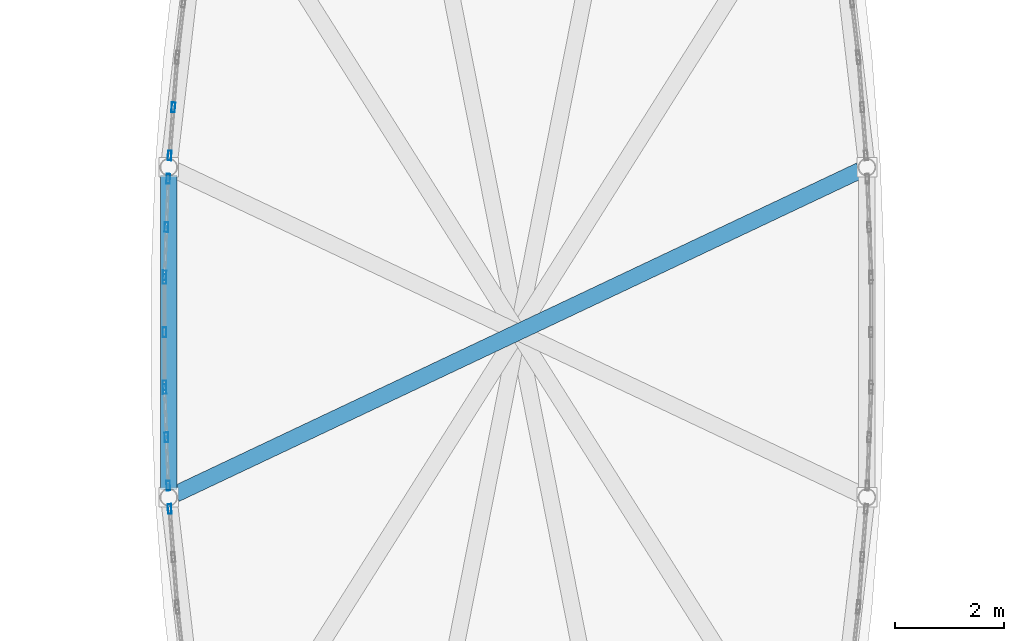
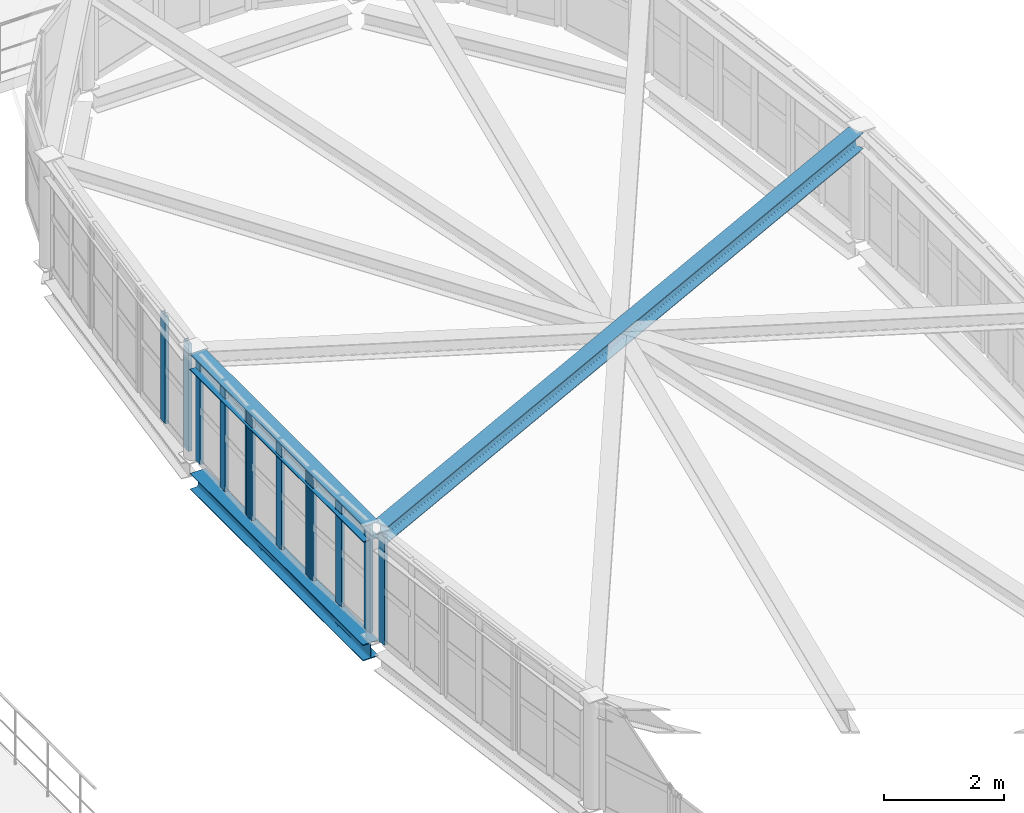
# One storey, part 33 of 78: 12 members, 3 beams, 5 elements without a shape of their own.
"""IFC4 building model written with IfcOpenShell, lengths in metres."""

from ifc_helpers import new_model, si_unit, direction, frame, origin, origin_2d, place, context, subcontext, project, spatial, hollow_rectangle, i_section, extrude, material, layer, layer_set, material_profile, profile_set, type_object, element, aggregate, save


model = new_model("IFC4")

# Units and contexts
model_context = context("Model", 3, precision=1e-05, world=origin(), true_north=direction((0.0, 1.0)))
body_context = subcontext(model_context, "Body", "Model", "MODEL_VIEW")
ifc_project = project(units=[si_unit("LENGTHUNIT", "METRE"), si_unit("AREAUNIT", "SQUARE_METRE"), si_unit("VOLUMEUNIT", "CUBIC_METRE"), si_unit("PLANEANGLEUNIT", "RADIAN"), si_unit("MASSUNIT", "GRAM", prefix="KILO")], contexts=[model_context])

# Site, building, storey
site_placement = place(None, origin())
site = spatial("IfcSite", under=ifc_project, at=site_placement, CompositionType="ELEMENT")
building_placement = place(site_placement, origin())
building = spatial("IfcBuilding", under=site, at=building_placement, Name="Vinh Khe Railworks Police Headquarters", CompositionType="ELEMENT")
storey_placement = place(building_placement, frame((0.0, 0.0, 13.199951171875)))
storey = spatial("IfcBuildingStorey", under=building, at=storey_placement, Name="L03", CompositionType="ELEMENT", Elevation=13.199951171875)

# Curtain wall, members
ifc_material_1 = material(Name="Anodised aluminium and acoustic laminated glass", Category="aluminium")
ifc_layer = layer(ifc_material_1, 0.159912109375)
ifc_layer_set = layer_set([ifc_layer], Name="Anodised aluminium and acoustic laminated glass")
curtain_wall_type = type_object("IfcCurtainWallType", Name="CW-DRUM-CHORD", PredefinedType="USERDEFINED", material=ifc_layer_set)
curtain_wall_1_placement = place(storey_placement, origin())
curtain_wall_1 = element("IfcCurtainWall", 1, at=curtain_wall_1_placement, inside=storey, type_object=curtain_wall_type, Name="Elliptical Command Drum Glazing L03 Chord 21", ObjectType="DRUM FACADE GLAZING", PredefinedType="USERDEFINED")
ifc_material_2 = material(Name="Anodised aluminium 6063-T6", Category="aluminium")
ifc_material_profile_1 = material_profile(ifc_material_2, hollow_rectangle(XDim=0.06494140625, YDim=0.179931640625, WallThickness=0.0048828125, at=origin_2d()), Name="CW-M 65x180x5")
ifc_profile_set_1 = profile_set([ifc_material_profile_1], Name="Anodised aluminium 6063-T6")
member_type = type_object("IfcMemberType", Name="MULL-CWM-02", PredefinedType="MULLION", material=ifc_profile_set_1)
member_1_placement = place(storey_placement, frame((36.87255859375, 46.131103515625, 0.0), z_axis=(0.0, 0.0, 1.0), x_axis=(0.997033481847, -0.076969059213, 0.0)))
member_1 = element("IfcMember", 2, at=member_1_placement, type_object=member_type, Name="CW-02 mullion 2", PredefinedType="MULLION", context=body_context, shape_type="SweptSolid", body=[
    extrude(hollow_rectangle(XDim=0.06494140625, YDim=0.179931640625, WallThickness=0.0048828125, at=origin_2d()), origin(), (0.0, 0.0, 1.0), 2.179931640625),
])
member_2_placement = place(storey_placement, frame((36.80419921875, 45.245849609375, 0.0), z_axis=(0.0, 0.0, 1.0), x_axis=(0.997033481847, -0.076969059213, 0.0)))
member_2 = element("IfcMember", 3, at=member_2_placement, type_object=member_type, Name="CW-02 mullion 3", PredefinedType="MULLION", context=body_context, shape_type="SweptSolid", body=[
    extrude(hollow_rectangle(XDim=0.06494140625, YDim=0.179931640625, WallThickness=0.0048828125, at=origin_2d()), origin(), (0.0, 0.0, 1.0), 2.179931640625),
])
aggregate(curtain_wall_1, [member_1, member_2])

curtain_wall_2_placement = place(storey_placement, origin())
curtain_wall_2 = element("IfcCurtainWall", 4, at=curtain_wall_2_placement, inside=storey, type_object=curtain_wall_type, Name="Elliptical Command Drum Glazing L03 Chord 22", ObjectType="DRUM FACADE GLAZING", PredefinedType="USERDEFINED")
member_3_placement = place(storey_placement, frame((36.779296875, 44.81787109375, 0.0), z_axis=(0.0, 0.0, 1.0), x_axis=(0.999258113622, -0.038512625989, 0.0)))
member_3 = element("IfcMember", 5, at=member_3_placement, type_object=member_type, Name="CW-02 mullion 1", PredefinedType="MULLION", context=body_context, shape_type="SweptSolid", body=[
    extrude(hollow_rectangle(XDim=0.06494140625, YDim=0.179931640625, WallThickness=0.0048828125, at=origin_2d()), origin(), (0.0, 0.0, 1.0), 2.179931640625),
])
member_4_placement = place(storey_placement, frame((36.7451171875, 43.9306640625, 0.0), z_axis=(0.0, 0.0, 1.0), x_axis=(0.999258113622, -0.038512625989, 0.0)))
member_4 = element("IfcMember", 6, at=member_4_placement, type_object=member_type, Name="CW-02 mullion 2", PredefinedType="MULLION", context=body_context, shape_type="SweptSolid", body=[
    extrude(hollow_rectangle(XDim=0.06494140625, YDim=0.179931640625, WallThickness=0.0048828125, at=origin_2d()), origin(), (0.0, 0.0, 1.0), 2.179931640625),
])
member_5_placement = place(storey_placement, frame((36.7109375, 43.043701171875, 0.0), z_axis=(0.0, 0.0, 1.0), x_axis=(0.999258113622, -0.038512625989, 0.0)))
member_5 = element("IfcMember", 7, at=member_5_placement, type_object=member_type, Name="CW-02 mullion 3", PredefinedType="MULLION", context=body_context, shape_type="SweptSolid", body=[
    extrude(hollow_rectangle(XDim=0.06494140625, YDim=0.179931640625, WallThickness=0.0048828125, at=origin_2d()), origin(), (0.0, 0.0, 1.0), 2.179931640625),
])
aggregate(curtain_wall_2, [member_3, member_4, member_5])

curtain_wall_3_placement = place(storey_placement, origin())
curtain_wall_3 = element("IfcCurtainWall", 8, at=curtain_wall_3_placement, inside=storey, type_object=curtain_wall_type, Name="Elliptical Command Drum Glazing L03 Chord 23", ObjectType="DRUM FACADE GLAZING", PredefinedType="USERDEFINED")
member_6_placement = place(storey_placement, frame((36.709716796875, 42.978759765625, 0.0), z_axis=(0.0, 0.0, 1.0), x_axis=(1.0, 0.0, 0.0)))
member_6 = element("IfcMember", 9, at=member_6_placement, type_object=member_type, Name="CW-02 mullion 1", PredefinedType="MULLION", context=body_context, shape_type="SweptSolid", body=[
    extrude(hollow_rectangle(XDim=0.06494140625, YDim=0.179931640625, WallThickness=0.0048828125, at=origin_2d()), origin(), (0.0, 0.0, 1.0), 2.179931640625),
])
member_7_placement = place(storey_placement, frame((36.709716796875, 42.0, 0.0), z_axis=(0.0, 0.0, 1.0), x_axis=(1.0, 0.0, 0.0)))
member_7 = element("IfcMember", 10, at=member_7_placement, type_object=member_type, Name="CW-02 mullion 2", PredefinedType="MULLION", context=body_context, shape_type="SweptSolid", body=[
    extrude(hollow_rectangle(XDim=0.06494140625, YDim=0.179931640625, WallThickness=0.0048828125, at=origin_2d()), origin(), (0.0, 0.0, 1.0), 2.179931640625),
])
member_8_placement = place(storey_placement, frame((36.709716796875, 41.021240234375, 0.0), z_axis=(0.0, 0.0, 1.0), x_axis=(1.0, 0.0, 0.0)))
member_8 = element("IfcMember", 11, at=member_8_placement, type_object=member_type, Name="CW-02 mullion 3", PredefinedType="MULLION", context=body_context, shape_type="SweptSolid", body=[
    extrude(hollow_rectangle(XDim=0.06494140625, YDim=0.179931640625, WallThickness=0.0048828125, at=origin_2d()), origin(), (0.0, 0.0, 1.0), 2.179931640625),
])
aggregate(curtain_wall_3, [member_6, member_7, member_8])

curtain_wall_4_placement = place(storey_placement, origin())
curtain_wall_4 = element("IfcCurtainWall", 12, at=curtain_wall_4_placement, inside=storey, type_object=curtain_wall_type, Name="Elliptical Command Drum Glazing L03 Chord 24", ObjectType="DRUM FACADE GLAZING", PredefinedType="USERDEFINED")
member_9_placement = place(storey_placement, frame((36.7109375, 40.956298828125, 0.0), z_axis=(0.0, 0.0, 1.0), x_axis=(0.999258113622, 0.038512625989, 0.0)))
member_9 = element("IfcMember", 13, at=member_9_placement, type_object=member_type, Name="CW-02 mullion 1", PredefinedType="MULLION", context=body_context, shape_type="SweptSolid", body=[
    extrude(hollow_rectangle(XDim=0.06494140625, YDim=0.179931640625, WallThickness=0.0048828125, at=origin_2d()), origin(), (0.0, 0.0, 1.0), 2.179931640625),
])
member_10_placement = place(storey_placement, frame((36.7451171875, 40.0693359375, 0.0), z_axis=(0.0, 0.0, 1.0), x_axis=(0.999258113622, 0.038512625989, 0.0)))
member_10 = element("IfcMember", 14, at=member_10_placement, type_object=member_type, Name="CW-02 mullion 2", PredefinedType="MULLION", context=body_context, shape_type="SweptSolid", body=[
    extrude(hollow_rectangle(XDim=0.06494140625, YDim=0.179931640625, WallThickness=0.0048828125, at=origin_2d()), origin(), (0.0, 0.0, 1.0), 2.179931640625),
])
member_11_placement = place(storey_placement, frame((36.779296875, 39.18212890625, 0.0), z_axis=(0.0, 0.0, 1.0), x_axis=(0.999258113622, 0.038512625989, 0.0)))
member_11 = element("IfcMember", 15, at=member_11_placement, type_object=member_type, Name="CW-02 mullion 3", PredefinedType="MULLION", context=body_context, shape_type="SweptSolid", body=[
    extrude(hollow_rectangle(XDim=0.06494140625, YDim=0.179931640625, WallThickness=0.0048828125, at=origin_2d()), origin(), (0.0, 0.0, 1.0), 2.179931640625),
])
aggregate(curtain_wall_4, [member_9, member_10, member_11])

# Curtain wall, member
curtain_wall_5_placement = place(storey_placement, origin())
curtain_wall_5 = element("IfcCurtainWall", 16, at=curtain_wall_5_placement, inside=storey, type_object=curtain_wall_type, Name="Elliptical Command Drum Glazing L03 Chord 25", ObjectType="DRUM FACADE GLAZING", PredefinedType="USERDEFINED")
member_12_placement = place(storey_placement, frame((36.80419921875, 38.754150390625, 0.0), z_axis=(0.0, 0.0, 1.0), x_axis=(0.997033481847, 0.076969059213, 0.0)))
member_12 = element("IfcMember", 17, at=member_12_placement, type_object=member_type, Name="CW-02 mullion 1", PredefinedType="MULLION", context=body_context, shape_type="SweptSolid", body=[
    extrude(hollow_rectangle(XDim=0.06494140625, YDim=0.179931640625, WallThickness=0.0048828125, at=origin_2d()), origin(), (0.0, 0.0, 1.0), 2.179931640625),
])
aggregate(curtain_wall_5, [member_12])

# Beams
ifc_material_3 = material(Name="Steel S355JR", Category="steel")
ifc_material_profile_2 = material_profile(ifc_material_3, i_section(OverallWidth=0.300048828125, OverallDepth=0.330078125, WebThickness=0.009521484375, FlangeThickness=0.0166015625, FilletRadius=0.027099609375, at=origin_2d()), Name="HEA 340")
ifc_profile_set_2 = profile_set([ifc_material_profile_2], Name="Steel S355JR")
beam_type = type_object("IfcBeamType", Name="Steel Girder HEA 340", PredefinedType="BEAM", material=ifc_profile_set_2)
beam_1_placement = place(storey_placement, frame((36.78759765625, 44.874267578125, -0.385009765625), z_axis=(0.0, -1.0, 0.0), x_axis=(1.0, 0.0, 0.0)))
element("IfcBeam", 18, at=beam_1_placement, inside=storey, type_object=beam_type, Name="Drum Ring Girder BM-L03-DRUM-SB-16-1283", PredefinedType="BEAM", context=body_context, shape_type="SweptSolid", body=[
    extrude(i_section(OverallWidth=0.300048828125, OverallDepth=0.330078125, WebThickness=0.009521484375, FlangeThickness=0.0166015625, FilletRadius=0.027099609375, at=origin_2d()), origin(), (0.0, 0.0, 1.0), 5.74853515625),
])
beam_2_placement = place(storey_placement, frame((36.78759765625, 44.89013671875, 2.03515625), z_axis=(0.0, -1.0, 0.0), x_axis=(1.0, 0.0, 0.0)))
element("IfcBeam", 19, at=beam_2_placement, inside=storey, type_object=beam_type, Name="Drum Ring Girder BM-L03-DRUM-SB-16-1489", PredefinedType="BEAM", context=body_context, shape_type="SweptSolid", body=[
    extrude(i_section(OverallWidth=0.300048828125, OverallDepth=0.330078125, WebThickness=0.009521484375, FlangeThickness=0.0166015625, FilletRadius=0.027099609375, at=origin_2d()), origin(), (0.0, 0.0, 1.0), 5.7802734375),
])
beam_3_placement = place(storey_placement, frame((36.916015625, 39.028564453125, 2.03515625), z_axis=(0.904028342351, 0.427472521018, 0.0), x_axis=(-0.427472521018, 0.904028342351, 0.0)))
element("IfcBeam", 20, at=beam_3_placement, inside=storey, type_object=beam_type, Name="Drum Radial Girder 1490", PredefinedType="BEAM", context=body_context, shape_type="SweptSolid", body=[
    extrude(i_section(OverallWidth=0.300048828125, OverallDepth=0.330078125, WebThickness=0.009521484375, FlangeThickness=0.0166015625, FilletRadius=0.027099609375, at=origin_2d()), origin(), (0.0, 0.0, 1.0), 13.90234375),
])

save(model, "model.ifc")
